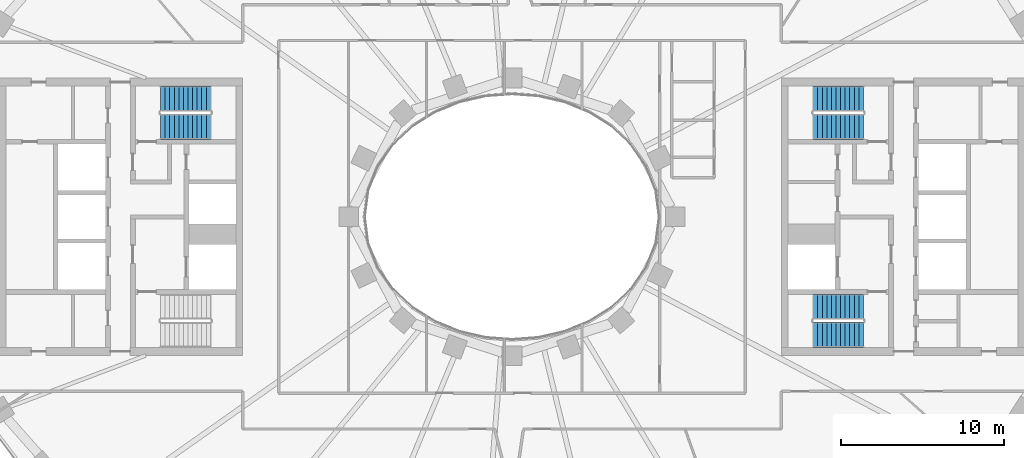
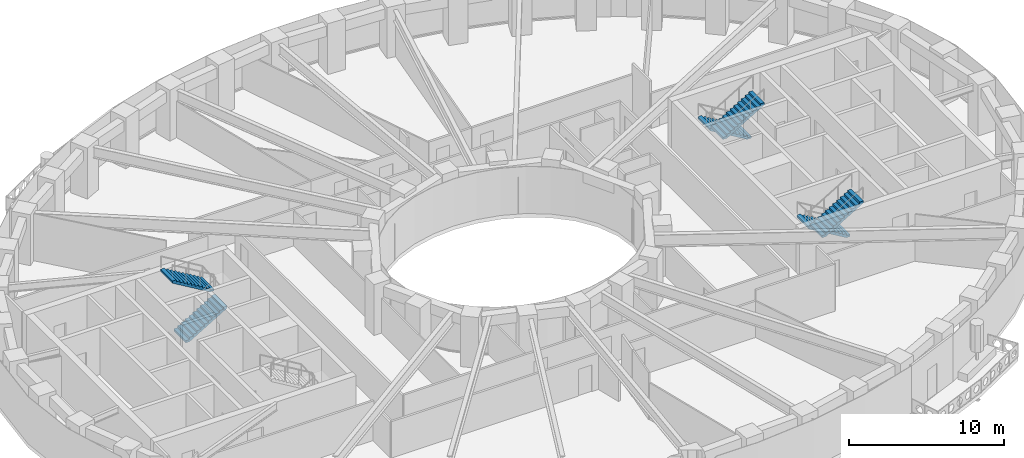
# One storey, part 7 of 15: 6 stair flights, 3 elements without a shape of their own.
"""IFC4 building model written with IfcOpenShell, lengths in metres."""

from ifc_helpers import new_model, si_unit, direction, frame, origin, place, context, subcontext, project, spatial, polyline, outline, extrude, material, type_object, element, aggregate, save


model = new_model("IFC4")

# Units and contexts
model_context = context("Model", 3, precision=1e-05, world=origin(), true_north=direction((0.0, 1.0)))
body_context = subcontext(model_context, "Body", "Model", "MODEL_VIEW")
ifc_project = project(units=[si_unit("LENGTHUNIT", "METRE"), si_unit("AREAUNIT", "SQUARE_METRE"), si_unit("VOLUMEUNIT", "CUBIC_METRE"), si_unit("PLANEANGLEUNIT", "RADIAN"), si_unit("MASSUNIT", "GRAM", prefix="KILO")], contexts=[model_context])

# Site, building, storey
site_placement = place(None, origin())
site = spatial("IfcSite", under=ifc_project, at=site_placement, CompositionType="ELEMENT")
building_placement = place(site_placement, origin())
building = spatial("IfcBuilding", under=site, at=building_placement, Name="Noorbagh Ring Tower", CompositionType="ELEMENT")
storey_placement = place(building_placement, frame((0.0, 0.0, 104.0)))
storey = spatial("IfcBuildingStorey", under=building, at=storey_placement, Name="L23", CompositionType="ELEMENT", Elevation=104.0)

# Stair, stair flights
ifc_material_1 = material(Name="Concrete C40/50", Category="concrete")
stair_type = type_object("IfcStairType", Name="CORE-STAIR", PredefinedType="HALF_TURN_STAIR", material=ifc_material_1)
stair_1_placement = place(storey_placement, origin())
stair_1 = element("IfcStair", 1, at=stair_1_placement, inside=storey, type_object=stair_type, Name="L23 Exit stair ST1", PredefinedType="HALF_TURN_STAIR")
ifc_material_2 = material(Name="Concrete C40/50", Category="concrete")
stair_flight_type = type_object("IfcStairFlightType", Name="CORE-STAIR-FLIGHT", PredefinedType="STRAIGHT", material=ifc_material_2)
stair_flight_1_placement = place(storey_placement, frame((-21.530029296875, 5.52490234375, 0.0), z_axis=(0.0, 0.0, 1.0), x_axis=(1.0, 0.0, 0.0)))
stair_flight_1 = element("IfcStairFlight", 2, at=stair_flight_1_placement, type_object=stair_flight_type, Name="ST1 flight 1", NumberOfRisers=12, NumberOfTreads=11, PredefinedType="STRAIGHT", RiserHeight=0.166666667, TreadLength=0.28, context=body_context, shape_type="SweptSolid", body=[
    extrude(outline(polyline([(0.0, 0.0), (0.0, 0.166748046875), (0.280029296875, 0.166748046875), (0.280029296875, 0.333251953125), (0.56005859375, 0.333251953125), (0.56005859375, 0.5), (0.840087890625, 0.5), (0.840087890625, 0.666748046875), (1.1201171875, 0.666748046875), (1.1201171875, 0.833251953125), (1.39990234375, 0.833251953125), (1.39990234375, 1.0), (1.679931640625, 1.0), (1.679931640625, 1.166748046875), (1.9599609375, 1.166748046875), (1.9599609375, 1.333251953125), (2.239990234375, 1.333251953125), (2.239990234375, 1.5), (2.52001953125, 1.5), (2.52001953125, 1.666748046875), (2.800048828125, 1.666748046875), (2.800048828125, 1.833251953125), (3.080078125, 1.833251953125), (3.080078125, 2.0), (3.080078125, 1.658935546875), (0.29296875, 0.0), (0.0, 0.0)])), frame((0.0, 0.77490234375, 0.0), z_axis=(0.0, -1.0, 0.0), x_axis=(1.0, 0.0, 0.0)), (0.0, 0.0, 1.0), 1.550048828125),
])
stair_flight_2_placement = place(storey_placement, frame((-18.449951171875, 7.22509765625, 2.0), z_axis=(0.0, 0.0, 1.0), x_axis=(-1.0, 0.0, 0.0)))
stair_flight_2 = element("IfcStairFlight", 3, at=stair_flight_2_placement, type_object=stair_flight_type, Name="ST1 flight 2", NumberOfRisers=12, NumberOfTreads=11, PredefinedType="STRAIGHT", RiserHeight=0.166666667, TreadLength=0.28, context=body_context, shape_type="SweptSolid", body=[
    extrude(outline(polyline([(0.0, 0.0), (0.0, 0.166748046875), (0.280029296875, 0.166748046875), (0.280029296875, 0.333251953125), (0.56005859375, 0.333251953125), (0.56005859375, 0.5), (0.840087890625, 0.5), (0.840087890625, 0.666748046875), (1.1201171875, 0.666748046875), (1.1201171875, 0.833251953125), (1.39990234375, 0.833251953125), (1.39990234375, 1.0), (1.679931640625, 1.0), (1.679931640625, 1.166748046875), (1.9599609375, 1.166748046875), (1.9599609375, 1.333251953125), (2.239990234375, 1.333251953125), (2.239990234375, 1.5), (2.52001953125, 1.5), (2.52001953125, 1.666748046875), (2.800048828125, 1.666748046875), (2.800048828125, 1.833251953125), (3.080078125, 1.833251953125), (3.080078125, 2.0), (3.080078125, 1.658935546875), (0.29296875, 0.0), (0.0, 0.0)])), frame((0.0, 0.77490234375, 0.0), z_axis=(0.0, -1.0, 0.0), x_axis=(1.0, 0.0, 0.0)), (0.0, 0.0, 1.0), 1.550048828125),
])
aggregate(stair_1, [stair_flight_1, stair_flight_2])

stair_2_placement = place(storey_placement, origin())
stair_2 = element("IfcStair", 4, at=stair_2_placement, inside=storey, type_object=stair_type, Name="L23 Exit stair ST3", PredefinedType="HALF_TURN_STAIR")
stair_flight_3_placement = place(storey_placement, frame((21.530029296875, 7.22509765625, 0.0), z_axis=(0.0, 0.0, 1.0), x_axis=(-1.0, 0.0, 0.0)))
stair_flight_3 = element("IfcStairFlight", 5, at=stair_flight_3_placement, type_object=stair_flight_type, Name="ST3 flight 1", NumberOfRisers=12, NumberOfTreads=11, PredefinedType="STRAIGHT", RiserHeight=0.166666667, TreadLength=0.28, context=body_context, shape_type="SweptSolid", body=[
    extrude(outline(polyline([(0.0, 0.0), (0.0, 0.166748046875), (0.280029296875, 0.166748046875), (0.280029296875, 0.333251953125), (0.56005859375, 0.333251953125), (0.56005859375, 0.5), (0.840087890625, 0.5), (0.840087890625, 0.666748046875), (1.1201171875, 0.666748046875), (1.1201171875, 0.833251953125), (1.39990234375, 0.833251953125), (1.39990234375, 1.0), (1.679931640625, 1.0), (1.679931640625, 1.166748046875), (1.9599609375, 1.166748046875), (1.9599609375, 1.333251953125), (2.239990234375, 1.333251953125), (2.239990234375, 1.5), (2.52001953125, 1.5), (2.52001953125, 1.666748046875), (2.800048828125, 1.666748046875), (2.800048828125, 1.833251953125), (3.080078125, 1.833251953125), (3.080078125, 2.0), (3.080078125, 1.658935546875), (0.29296875, 0.0), (0.0, 0.0)])), frame((0.0, 0.77490234375, 0.0), z_axis=(0.0, -1.0, 0.0), x_axis=(1.0, 0.0, 0.0)), (0.0, 0.0, 1.0), 1.550048828125),
])
stair_flight_4_placement = place(storey_placement, frame((18.449951171875, 5.52490234375, 2.0), z_axis=(0.0, 0.0, 1.0), x_axis=(1.0, 0.0, 0.0)))
stair_flight_4 = element("IfcStairFlight", 6, at=stair_flight_4_placement, type_object=stair_flight_type, Name="ST3 flight 2", NumberOfRisers=12, NumberOfTreads=11, PredefinedType="STRAIGHT", RiserHeight=0.166666667, TreadLength=0.28, context=body_context, shape_type="SweptSolid", body=[
    extrude(outline(polyline([(0.0, 0.0), (0.0, 0.166748046875), (0.280029296875, 0.166748046875), (0.280029296875, 0.333251953125), (0.56005859375, 0.333251953125), (0.56005859375, 0.5), (0.840087890625, 0.5), (0.840087890625, 0.666748046875), (1.1201171875, 0.666748046875), (1.1201171875, 0.833251953125), (1.39990234375, 0.833251953125), (1.39990234375, 1.0), (1.679931640625, 1.0), (1.679931640625, 1.166748046875), (1.9599609375, 1.166748046875), (1.9599609375, 1.333251953125), (2.239990234375, 1.333251953125), (2.239990234375, 1.5), (2.52001953125, 1.5), (2.52001953125, 1.666748046875), (2.800048828125, 1.666748046875), (2.800048828125, 1.833251953125), (3.080078125, 1.833251953125), (3.080078125, 2.0), (3.080078125, 1.658935546875), (0.29296875, 0.0), (0.0, 0.0)])), frame((0.0, 0.77490234375, 0.0), z_axis=(0.0, -1.0, 0.0), x_axis=(1.0, 0.0, 0.0)), (0.0, 0.0, 1.0), 1.550048828125),
])
aggregate(stair_2, [stair_flight_3, stair_flight_4])

stair_3_placement = place(storey_placement, origin())
stair_3 = element("IfcStair", 7, at=stair_3_placement, inside=storey, type_object=stair_type, Name="L23 Exit stair ST4", PredefinedType="HALF_TURN_STAIR")
stair_flight_5_placement = place(storey_placement, frame((21.530029296875, -5.52490234375, 0.0), z_axis=(0.0, 0.0, 1.0), x_axis=(-1.0, 0.0, 0.0)))
stair_flight_5 = element("IfcStairFlight", 8, at=stair_flight_5_placement, type_object=stair_flight_type, Name="ST4 flight 1", NumberOfRisers=12, NumberOfTreads=11, PredefinedType="STRAIGHT", RiserHeight=0.166666667, TreadLength=0.28, context=body_context, shape_type="SweptSolid", body=[
    extrude(outline(polyline([(0.0, 0.0), (0.0, 0.166748046875), (0.280029296875, 0.166748046875), (0.280029296875, 0.333251953125), (0.56005859375, 0.333251953125), (0.56005859375, 0.5), (0.840087890625, 0.5), (0.840087890625, 0.666748046875), (1.1201171875, 0.666748046875), (1.1201171875, 0.833251953125), (1.39990234375, 0.833251953125), (1.39990234375, 1.0), (1.679931640625, 1.0), (1.679931640625, 1.166748046875), (1.9599609375, 1.166748046875), (1.9599609375, 1.333251953125), (2.239990234375, 1.333251953125), (2.239990234375, 1.5), (2.52001953125, 1.5), (2.52001953125, 1.666748046875), (2.800048828125, 1.666748046875), (2.800048828125, 1.833251953125), (3.080078125, 1.833251953125), (3.080078125, 2.0), (3.080078125, 1.658935546875), (0.29296875, 0.0), (0.0, 0.0)])), frame((0.0, 0.77490234375, 0.0), z_axis=(0.0, -1.0, 0.0), x_axis=(1.0, 0.0, 0.0)), (0.0, 0.0, 1.0), 1.550048828125),
])
stair_flight_6_placement = place(storey_placement, frame((18.449951171875, -7.22509765625, 2.0), z_axis=(0.0, 0.0, 1.0), x_axis=(1.0, 0.0, 0.0)))
stair_flight_6 = element("IfcStairFlight", 9, at=stair_flight_6_placement, type_object=stair_flight_type, Name="ST4 flight 2", NumberOfRisers=12, NumberOfTreads=11, PredefinedType="STRAIGHT", RiserHeight=0.166666667, TreadLength=0.28, context=body_context, shape_type="SweptSolid", body=[
    extrude(outline(polyline([(0.0, 0.0), (0.0, 0.166748046875), (0.280029296875, 0.166748046875), (0.280029296875, 0.333251953125), (0.56005859375, 0.333251953125), (0.56005859375, 0.5), (0.840087890625, 0.5), (0.840087890625, 0.666748046875), (1.1201171875, 0.666748046875), (1.1201171875, 0.833251953125), (1.39990234375, 0.833251953125), (1.39990234375, 1.0), (1.679931640625, 1.0), (1.679931640625, 1.166748046875), (1.9599609375, 1.166748046875), (1.9599609375, 1.333251953125), (2.239990234375, 1.333251953125), (2.239990234375, 1.5), (2.52001953125, 1.5), (2.52001953125, 1.666748046875), (2.800048828125, 1.666748046875), (2.800048828125, 1.833251953125), (3.080078125, 1.833251953125), (3.080078125, 2.0), (3.080078125, 1.658935546875), (0.29296875, 0.0), (0.0, 0.0)])), frame((0.0, 0.77490234375, 0.0), z_axis=(0.0, -1.0, 0.0), x_axis=(1.0, 0.0, 0.0)), (0.0, 0.0, 1.0), 1.550048828125),
])
aggregate(stair_3, [stair_flight_5, stair_flight_6])

save(model, "model.ifc")
